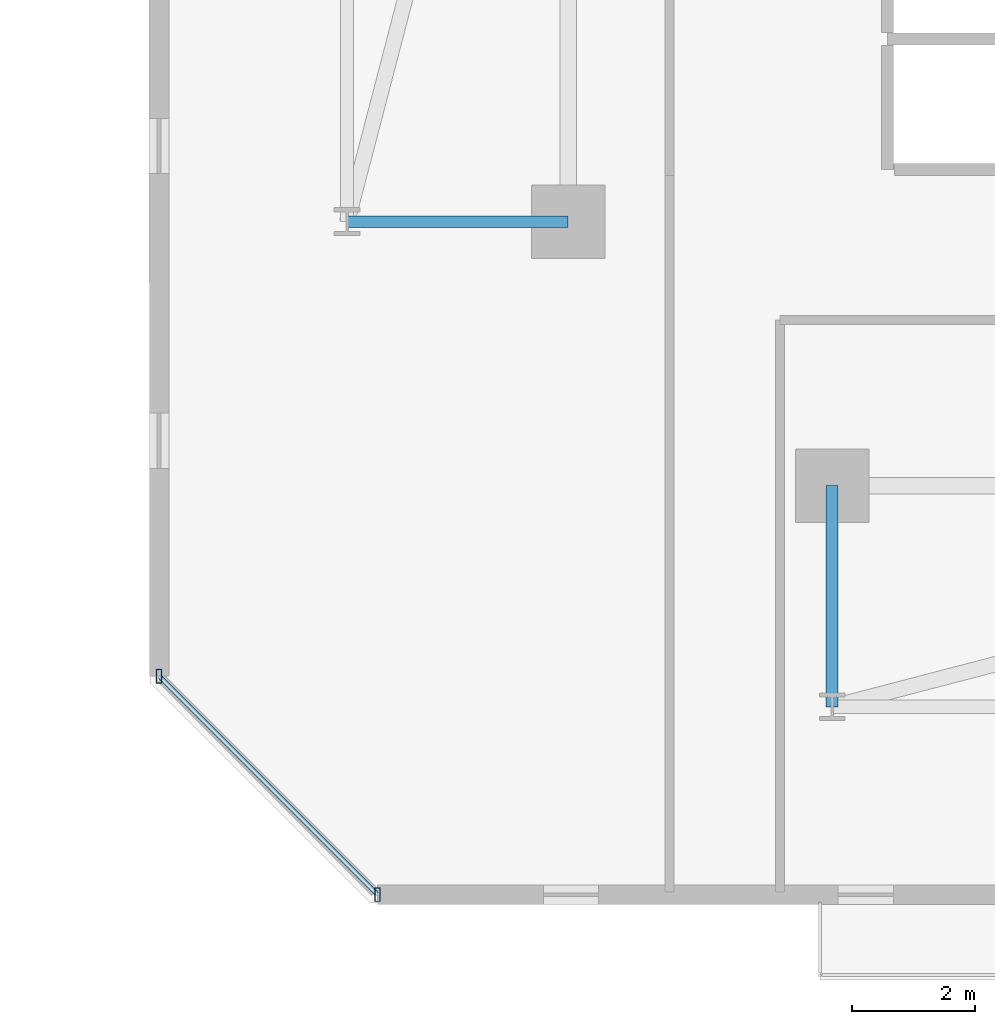
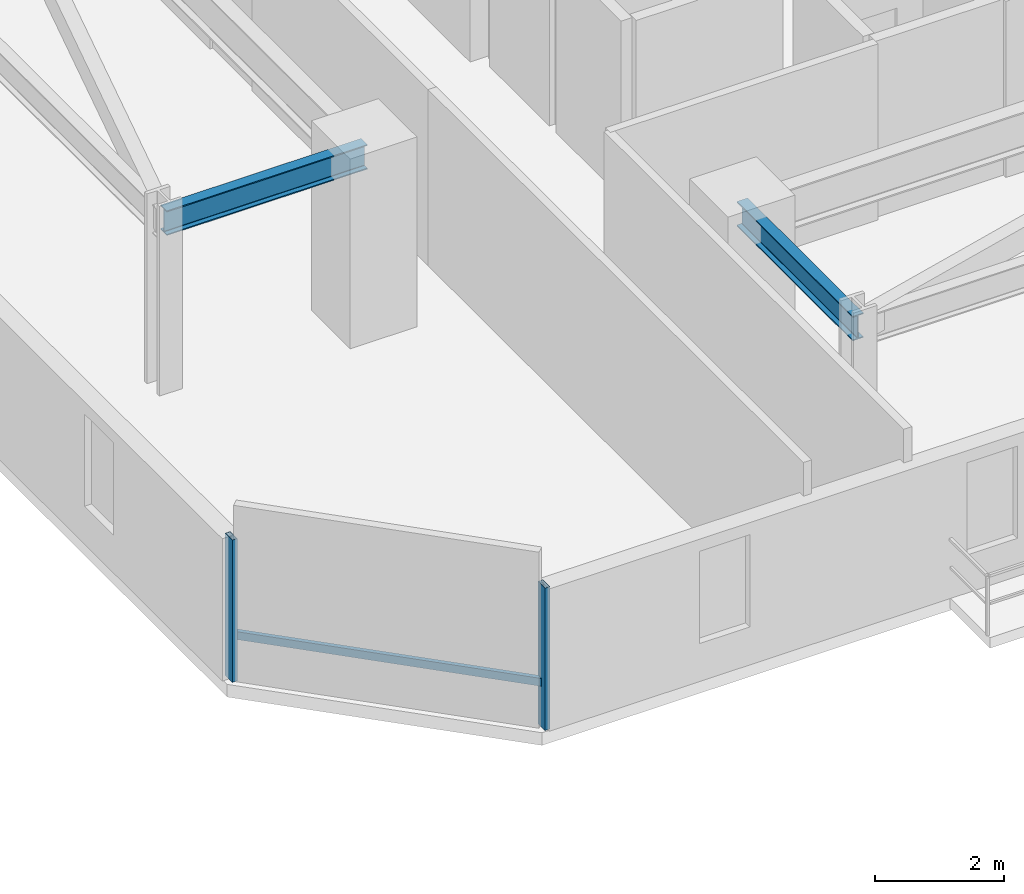
# One storey, part 11 of 33: 3 members, 2 beams, 1 element without a shape of its own.
"""IFC4 building model written with IfcOpenShell, lengths in metres."""

import ifcopenshell
import ifcopenshell.guid

model = None  # the IFC model being written
_history = None  # IfcOwnerHistory: only IFC2X3 demands one
_inside = {}  # id of a spatial element -> (the spatial element, [elements in it])
_under = {}  # id of a project, library or spatial element -> (it, [spatial elements below it])
_declared = {}  # id of a project -> (the project, [libraries it declares])
_typed = {}  # id of a type object -> (the type object, [elements of that type])
_made_of = {}  # id of a material, layer set ... -> (it, [elements and type objects made of it])


def new_model(schema):
    """Start an empty IFC model of exactly this schema.

    Asked for "IFC4X3", IfcOpenShell would pick the latest addendum, in which some entities
    have other attributes; the version numbers below select the first issue.
    IFC2X3 requires an IfcOwnerHistory on every rooted entity: one is made here for all.
    """
    global model, _history
    if schema == "IFC4X3":
        model = ifcopenshell.file(schema_version=(4, 3, 0, 0))
    else:
        model = ifcopenshell.file(schema=schema)
    _inside.clear()
    _under.clear()
    _declared.clear()
    _typed.clear()
    _made_of.clear()
    _history = None
    if model.schema == "IFC2X3":
        org = make("IfcOrganization", Name="unknown")
        user = make(
            "IfcPersonAndOrganization",
            ThePerson=make("IfcPerson", FamilyName="unknown"),
            TheOrganization=org,
        )
        app = make(
            "IfcApplication",
            ApplicationDeveloper=org,
            Version="unknown",
            ApplicationFullName="unknown",
            ApplicationIdentifier="unknown",
        )
        _history = make(
            "IfcOwnerHistory",
            OwningUser=user,
            OwningApplication=app,
            ChangeAction="ADDED",
            CreationDate=0,
        )
    return model


def make(cls, **values):
    """One entity of the class cls with the attributes given. An attribute that is None is left unset."""
    return model.create_entity(
        cls, **{name: value for name, value in values.items() if value is not None}
    )


def rooted(cls, **values):
    """An entity with a GlobalId (a new one), such as an element, a storey or a relation."""
    return make(cls, GlobalId=ifcopenshell.guid.new(), OwnerHistory=_history, **values)


def si_unit(unit_type, name, prefix=None):
    """IfcSIUnit, for example si_unit("LENGTHUNIT", "METRE", prefix="MILLI")."""
    return make("IfcSIUnit", UnitType=unit_type, Prefix=prefix, Name=name)


def assignment(units):
    """IfcUnitAssignment: the units of a project."""
    return None if units is None else make("IfcUnitAssignment", Units=units)


def point(xyz):
    """IfcCartesianPoint."""
    return None if xyz is None else make("IfcCartesianPoint", Coordinates=xyz)


def direction(xyz):
    """IfcDirection."""
    return None if xyz is None else make("IfcDirection", DirectionRatios=xyz)


def frame(location, z_axis=None, x_axis=None):
    """IfcAxis2Placement3D, a coordinate frame: its origin and axes. An axis left out is left unset."""
    return make(
        "IfcAxis2Placement3D",
        Location=point(location),
        Axis=direction(z_axis),
        RefDirection=direction(x_axis),
    )


def frame_2d(location, x_axis=None):
    """IfcAxis2Placement2D, a coordinate frame in the plane: its origin and x axis."""
    return make(
        "IfcAxis2Placement2D", Location=point(location), RefDirection=direction(x_axis)
    )


def origin():
    """The frame at (0, 0, 0) with its axes left unset."""
    return frame((0.0, 0.0, 0.0))


def origin_2d():
    """The frame at (0, 0) in the plane with its x axis left unset."""
    return frame_2d((0.0, 0.0))


def place(relative_to, where):
    """IfcLocalPlacement: puts the frame where relative to a parent placement (None: the world)."""
    return make(
        "IfcLocalPlacement", PlacementRelTo=relative_to, RelativePlacement=where
    )


def context(
    kind, dimensions, precision=None, world=None, true_north=None, identifier=None
):
    """IfcGeometricRepresentationContext, for example the 3D "Model" context."""
    return make(
        "IfcGeometricRepresentationContext",
        ContextIdentifier=identifier,
        ContextType=kind,
        CoordinateSpaceDimension=dimensions,
        Precision=precision,
        WorldCoordinateSystem=world,
        TrueNorth=true_north,
    )


def subcontext(parent, identifier, kind, view, scale=None):
    """IfcGeometricRepresentationSubContext, for example "Body" below "Model"."""
    return make(
        "IfcGeometricRepresentationSubContext",
        ContextIdentifier=identifier,
        ContextType=kind,
        ParentContext=parent,
        TargetScale=scale,
        TargetView=view,
    )


def project(units=None, contexts=None):
    """IfcProject with its units and contexts."""
    return rooted(
        "IfcProject",
        Name="project",
        RepresentationContexts=contexts,
        UnitsInContext=assignment(units),
    )


def spatial(cls, under=None, at=None, **own):
    """A site, building, storey or space (cls), placed at a placement, below another one or the project."""
    s = rooted(cls, ObjectPlacement=at, **own)
    if under is not None:
        _under.setdefault(under.id(), (under, []))[1].append(s)
    return s


def profile(cls, at=None, kind="AREA", **sizes):
    """A parametric profile (cls). Its sizes go by their IFC names, for example OverallWidth=200.0."""
    return make(cls, ProfileType=kind, Position=at, **sizes)


def hollow_rectangle(**sizes):
    """IfcRectangleHollowProfileDef."""
    return profile("IfcRectangleHollowProfileDef", **sizes)


def i_section(**sizes):
    """IfcIShapeProfileDef."""
    return profile("IfcIShapeProfileDef", **sizes)


def extrude(swept, where, along, depth):
    """IfcExtrudedAreaSolid: the profile swept, set in the frame where, extruded along a direction by depth."""
    return make(
        "IfcExtrudedAreaSolid",
        SweptArea=swept,
        Position=where,
        ExtrudedDirection=direction(along),
        Depth=depth,
    )


def shape(context_of_items, identifier, shape_type, items):
    """IfcShapeRepresentation: the items that make up one representation, for example the "Body"."""
    return make(
        "IfcShapeRepresentation",
        ContextOfItems=context_of_items,
        RepresentationIdentifier=identifier,
        RepresentationType=shape_type,
        Items=items,
    )


def material(Name=None, Category=None):
    """IfcMaterial."""
    return make("IfcMaterial", Name=Name, Category=Category)


def material_profile(
    of_material, cross_section, Name=None, Category=None, Priority=None
):
    """IfcMaterialProfile: a cross section and its material."""
    return make(
        "IfcMaterialProfile",
        Name=Name,
        Material=of_material,
        Profile=cross_section,
        Priority=Priority,
        Category=Category,
    )


def profile_set(profiles, Name=None, composite=None):
    """IfcMaterialProfileSet."""
    return make(
        "IfcMaterialProfileSet",
        Name=Name,
        MaterialProfiles=profiles,
        CompositeProfile=composite,
    )


def made_of(thing, what):
    """Note that an element or type object is made of a material, layer set ...; save() writes the relation."""
    if what is not None:
        _made_of.setdefault(what.id(), (what, []))[1].append(thing)
    return thing


def type_object(cls, material=None, **own):
    """A type object (cls), such as IfcWallType, which elements share."""
    return made_of(rooted(cls, **own), material)


def element(
    cls,
    number,
    at=None,
    inside=None,
    cuts=None,
    type_object=None,
    material=None,
    context=None,
    identifier="Body",
    shape_type=None,
    held_by="IfcProductDefinitionShape",
    body=None,
    shapes=None,
    **own,
):
    """One element of the class cls, such as IfcWall. Its Tag is "e" and its number.

    at: its placement. inside: the storey or other place that contains it. cuts: it is an
    opening in that element (IfcRelVoidsElement). A single representation is given by context,
    identifier, shape_type and body (its items); several are given by shapes. held_by: the class
    of the entity that holds the representations. save() writes the other relations.
    """
    e = rooted(cls, Tag="e%d" % number, ObjectPlacement=at, **own)
    if body is not None:
        shapes = [shape(context, identifier, shape_type, body)]
    if shapes is not None:
        e.Representation = make(held_by, Representations=shapes)
    if inside is not None:
        _inside.setdefault(inside.id(), (inside, []))[1].append(e)
    if cuts is not None:
        rooted(
            "IfcRelVoidsElement", RelatingBuildingElement=cuts, RelatedOpeningElement=e
        )
    if type_object is not None:
        _typed.setdefault(type_object.id(), (type_object, []))[1].append(e)
    return made_of(e, material)


def aggregate(whole, parts):
    """IfcRelAggregates: a whole, such as a stair, and the parts it consists of."""
    return rooted("IfcRelAggregates", RelatingObject=whole, RelatedObjects=parts)


def save(model, path):
    """Write the relations noted so far, then the file.

    IfcRelAggregates (storeys below a building ...), IfcRelContainedInSpatialStructure (elements
    in a storey), IfcRelDefinesByType, IfcRelAssociatesMaterial and IfcRelDeclares: one each for
    every whole, place, type object, material and project.
    """
    for whole, parts in _under.values():
        aggregate(whole, parts)
    for where, things in _inside.values():
        rooted(
            "IfcRelContainedInSpatialStructure",
            RelatedElements=things,
            RelatingStructure=where,
        )
    for kind, things in _typed.values():
        rooted("IfcRelDefinesByType", RelatedObjects=things, RelatingType=kind)
    for what, things in _made_of.values():
        rooted("IfcRelAssociatesMaterial", RelatedObjects=things, RelatingMaterial=what)
    for by, libraries in _declared.values():
        rooted("IfcRelDeclares", RelatingContext=by, RelatedDefinitions=libraries)
    model.write(path)


model = new_model("IFC4")

# Units and contexts
model_context = context("Model", 3, precision=1e-05, world=origin(), true_north=direction((0.0, 1.0)))
body_context = subcontext(model_context, "Body", "Model", "MODEL_VIEW")
ifc_project = project(units=[si_unit("LENGTHUNIT", "METRE"), si_unit("AREAUNIT", "SQUARE_METRE"), si_unit("VOLUMEUNIT", "CUBIC_METRE"), si_unit("PLANEANGLEUNIT", "RADIAN"), si_unit("MASSUNIT", "GRAM", prefix="KILO")], contexts=[model_context])

# Site, building, storey
site_placement = place(None, origin())
site = spatial("IfcSite", under=ifc_project, at=site_placement, CompositionType="ELEMENT")
building_placement = place(site_placement, origin())
building = spatial("IfcBuilding", under=site, at=building_placement, Name="Thornwick Lancets Civic Towers", CompositionType="ELEMENT")
storey_placement = place(building_placement, frame((0.0, 0.0, 105.300048828125)))
storey = spatial("IfcBuildingStorey", under=building, at=storey_placement, Name="L27", CompositionType="ELEMENT", Elevation=105.300048828125)

# Beams
ifc_material_1 = material(Name="Steel S355JR", Category="steel")
ifc_material_profile_1 = material_profile(ifc_material_1, i_section(OverallWidth=0.19287109375, OverallDepth=0.46728515625, WebThickness=0.011474609375, FlangeThickness=0.01953125, FilletRadius=0.01025390625, at=origin_2d()), Name="UKB 457x191x98")
ifc_profile_set_1 = profile_set([ifc_material_profile_1], Name="Steel S355JR")
beam_type = type_object("IfcBeamType", Name="BM_JOIST_457_98", PredefinedType="JOIST", material=ifc_profile_set_1)
for number, where, z_axis, x_axis, name in (
    (1, (71.199951171875, 14.0, 3.12646484375), (-1.0, 0.0, 0.0), (0.0, -1.0, 0.0), "BM-RAD-L27-B07"),
    (2, (75.5, 9.699951171875, 3.12646484375), (0.0, -1.0, 0.0), (1.0, 0.0, 0.0), "BM-RAD-L27-B12"),
):
    element("IfcBeam", number, at=place(storey_placement, frame(where, z_axis=z_axis, x_axis=x_axis)), inside=storey, type_object=beam_type, Name=name, PredefinedType="JOIST", context=body_context, shape_type="SweptSolid", body=[
        extrude(i_section(OverallWidth=0.19287109375, OverallDepth=0.46728515625, WebThickness=0.011474609375, FlangeThickness=0.01953125, FilletRadius=0.01025390625, at=origin_2d()), origin(), (0.0, 0.0, 1.0), 3.599853515625),
    ])

# Curtain wall, members
ifc_material_2 = material(Name="Low-zone chamfered-corner unitised glass curtain wall", Category="glass")
curtain_wall_type = type_object("IfcCurtainWallType", Name="CW_SYS_03", PredefinedType="NOTDEFINED", material=ifc_material_2)
curtain_wall_placement = place(storey_placement, origin())
curtain_wall = element("IfcCurtainWall", 3, at=curtain_wall_placement, inside=storey, type_object=curtain_wall_type, Name="L27 Curtain Wall CW-L27-B-E7", PredefinedType="NOTDEFINED")
ifc_material_3 = material(Name="Thermally broken bronze aluminium S355", Category="steel")
ifc_material_profile_2 = material_profile(ifc_material_3, hollow_rectangle(XDim=0.090087890625, YDim=0.219970703125, WallThickness=0.00634765625, at=origin_2d()), Name="RHS 220x90x6.3")
ifc_profile_set_2 = profile_set([ifc_material_profile_2], Name="Thermally broken bronze aluminium S355")
member_type_1 = type_object("IfcMemberType", Name="CW_MUL_220", PredefinedType="MULLION", material=ifc_profile_set_2)
member_1_placement = place(storey_placement, frame((64.53857421875, 6.596923828125, 0.0), z_axis=(0.0, 0.0, 1.0), x_axis=(1.0, 0.0, 0.0)))
member_1 = element("IfcMember", 4, at=member_1_placement, type_object=member_type_1, Name="CW-L27-B-E7 Mullion 0", PredefinedType="MULLION", context=body_context, shape_type="SweptSolid", body=[
    extrude(hollow_rectangle(XDim=0.090087890625, YDim=0.219970703125, WallThickness=0.00634765625, at=origin_2d()), origin(), (0.0, 0.0, 1.0), 2.699951171875),
])
member_2_placement = place(storey_placement, frame((68.096923828125, 3.03857421875, 0.0), z_axis=(0.0, 0.0, 1.0), x_axis=(1.0, 0.0, 0.0)))
member_2 = element("IfcMember", 5, at=member_2_placement, type_object=member_type_1, Name="CW-L27-B-E7 Mullion 1", PredefinedType="MULLION", context=body_context, shape_type="SweptSolid", body=[
    extrude(hollow_rectangle(XDim=0.090087890625, YDim=0.219970703125, WallThickness=0.00634765625, at=origin_2d()), origin(), (0.0, 0.0, 1.0), 2.699951171875),
])
ifc_material_profile_3 = material_profile(ifc_material_3, hollow_rectangle(XDim=0.074951171875, YDim=0.14990234375, WallThickness=0.0048828125, at=origin_2d()), Name="RHS 150x75x5")
ifc_profile_set_3 = profile_set([ifc_material_profile_3], Name="Thermally broken bronze aluminium S355")
member_type_2 = type_object("IfcMemberType", Name="CW_TRN_150", PredefinedType="USERDEFINED", material=ifc_profile_set_3)
member_3_placement = place(storey_placement, frame((64.552490234375, 6.5830078125, 0.849853515625), z_axis=(0.707106781187, -0.707106781187, 0.0), x_axis=(0.707106781187, 0.707106781187, 0.0)))
member_3 = element("IfcMember", 6, at=member_3_placement, type_object=member_type_2, Name="CW-L27-B-E7 Transom 0", ObjectType="TRANSOM", PredefinedType="USERDEFINED", context=body_context, shape_type="SweptSolid", body=[
    extrude(hollow_rectangle(XDim=0.074951171875, YDim=0.14990234375, WallThickness=0.0048828125, at=origin_2d()), origin(), (0.0, 0.0, 1.0), 4.992919921875),
])
aggregate(curtain_wall, [member_1, member_2, member_3])

save(model, "model.ifc")
